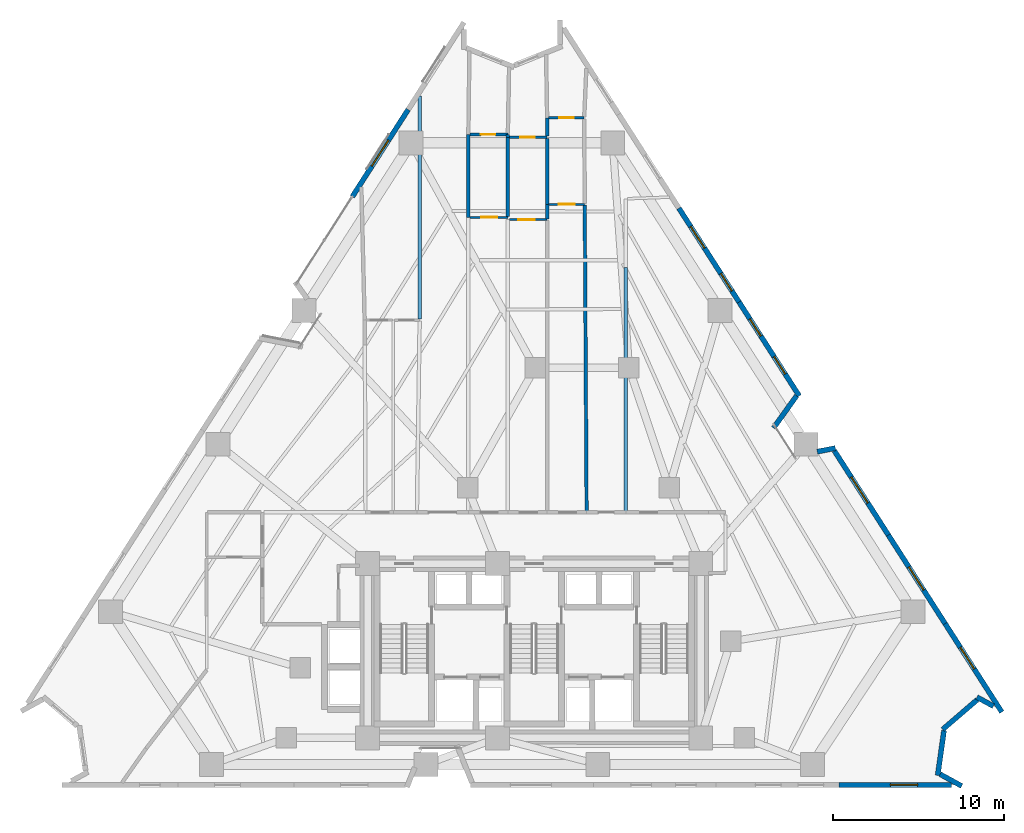
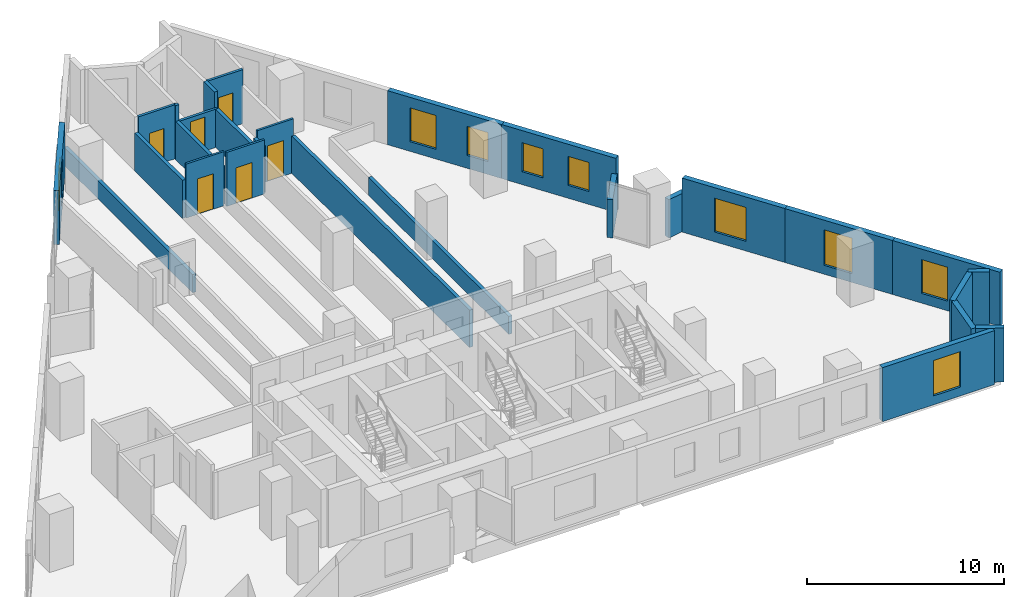
# One storey, part 10 of 13: 28 walls, 9 windows, 6 doors, 15 openings.
"""IFC4 building model written with IfcOpenShell, lengths in metres."""

from ifc_helpers import new_model, si_unit, direction, frame, frame_2d, origin, place, context, subcontext, project, spatial, rectangle, extrude, material, layer, layer_set, type_object, element, fill, save


model = new_model("IFC4")

# Units and contexts
model_context = context("Model", 3, precision=1e-05, world=origin(), true_north=direction((0.0, 1.0)))
body_context = subcontext(model_context, "Body", "Model", "MODEL_VIEW")
ifc_project = project(units=[si_unit("LENGTHUNIT", "METRE"), si_unit("AREAUNIT", "SQUARE_METRE"), si_unit("VOLUMEUNIT", "CUBIC_METRE"), si_unit("PLANEANGLEUNIT", "RADIAN"), si_unit("MASSUNIT", "GRAM", prefix="KILO")], contexts=[model_context])

# Site, building, storey
site_placement = place(None, origin())
site = spatial("IfcSite", under=ifc_project, at=site_placement, CompositionType="ELEMENT")
building_placement = place(site_placement, origin())
building = spatial("IfcBuilding", under=site, at=building_placement, Name="Almagre Mirador Tower", CompositionType="ELEMENT")
storey_placement = place(building_placement, frame((0.0, 0.0, 49.800048828125)))
storey = spatial("IfcBuildingStorey", under=building, at=storey_placement, Name="L11", CompositionType="ELEMENT", Elevation=49.800048828125)

# Wall, opening, window
ifc_material_1 = material(Name="Precast concrete C50/60", Category="concrete")
ifc_layer_1 = layer(ifc_material_1, 0.300048828125)
ifc_layer_set_1 = layer_set([ifc_layer_1], Name="Precast concrete C50/60")
wall_type_1 = type_object("IfcWallType", Name="WAL-EXT-300", PredefinedType="SOLIDWALL", material=ifc_layer_set_1)
wall_1_placement = place(storey_placement, frame((26.65673828125, 36.219970703125, 0.0), z_axis=(0.0, 0.0, 1.0), x_axis=(0.539506453767, 0.841981464371, 0.0)))
wall_1 = element("IfcWall", 1, at=wall_1_placement, inside=storey, type_object=wall_type_1, Name="L11 expressed almagre precast frame wall 03", PredefinedType="SOLIDWALL", context=body_context, shape_type="SweptSolid", body=[
    extrude(rectangle(XDim=6.058349609375, YDim=0.300048828125, at=frame_2d((3.029296875, 0.0))), origin(), (0.0, 0.0, 1.0), 3.349853515625),
])
opening_1_placement = place(wall_1_placement, frame((2.125, 0.0, 0.60009765625)))
opening_1 = element("IfcOpeningElement", 2, at=opening_1_placement, cuts=wall_1, Name="Opening WN-01", PredefinedType="OPENING", context=body_context, shape_type="SweptSolid", body=[
    extrude(rectangle(XDim=1.800048828125, YDim=2.10009765625, at=frame_2d((0.89990234375, 1.050048828125))), frame((0.0, 0.159902, 0.0), z_axis=(0.0, -1.0, 0.0), x_axis=(1.0, 0.0, 0.0)), (0.0, 0.0, 1.0), 0.320049),
])
ifc_material_2 = material(Name="Dark solar-control laminated hurricane glass", Category="glass")
window_type_1 = type_object("IfcWindowType", Name="WIN-1800X2100", PartitioningType="DOUBLE_PANEL_VERTICAL", PredefinedType="WINDOW", material=ifc_material_2)
window_1_placement = place(opening_1_placement, origin())
window_1 = element("IfcWindow", 3, at=window_1_placement, inside=storey, type_object=window_type_1, Name="L11 recessed hurricane window L11-UL-KT", OverallHeight=2.10009765625, OverallWidth=1.800048828125, PartitioningType="SINGLE_PANEL", PredefinedType="WINDOW", context=body_context, shape_type="SweptSolid", body=[
    extrude(rectangle(XDim=1.800048828125, YDim=2.10009765625, at=frame_2d((0.89990234375, 1.050048828125))), frame((0.0, 0.030029296875, 0.0), z_axis=(0.0, -1.0, 0.0), x_axis=(1.0, 0.0, 0.0)), (0.0, 0.0, 1.0), 0.06005859375),
])
fill(opening_1, window_1)

# Wall, openings, windows
wall_2_placement = place(storey_placement, frame((45.77197265625, 35.551025390625, 0.0), z_axis=(0.0, 0.0, 1.0), x_axis=(0.539526045631, -0.841968910403, 0.0)))
wall_2 = element("IfcWall", 4, at=wall_2_placement, inside=storey, type_object=wall_type_1, Name="L11 expressed almagre precast frame wall 11", PredefinedType="SOLIDWALL", context=body_context, shape_type="SweptSolid", body=[
    extrude(rectangle(XDim=6.525634765625, YDim=0.300048828125, at=frame_2d((3.2626953125, 0.0))), origin(), (0.0, 0.0, 1.0), 3.349853515625),
])
opening_2_placement = place(wall_2_placement, frame((4.550048828125, 0.0, 0.800048828125)))
opening_2 = element("IfcOpeningElement", 5, at=opening_2_placement, cuts=wall_2, Name="Opening WN-04", PredefinedType="OPENING", context=body_context, shape_type="SweptSolid", body=[
    extrude(rectangle(XDim=1.199951171875, YDim=1.800048828125, at=frame_2d((0.60009765625, 0.89990234375))), frame((0.0, 0.159902, 0.0), z_axis=(0.0, -1.0, 0.0), x_axis=(1.0, 0.0, 0.0)), (0.0, 0.0, 1.0), 0.320049),
])
opening_3_placement = place(wall_2_placement, frame((1.27490234375, 0.0, 0.60009765625)))
opening_3 = element("IfcOpeningElement", 6, at=opening_3_placement, cuts=wall_2, Name="Opening WN-03", PredefinedType="OPENING", context=body_context, shape_type="SweptSolid", body=[
    extrude(rectangle(XDim=1.5, YDim=2.10009765625, at=frame_2d((0.75, 1.050048828125))), frame((0.0, 0.159902, 0.0), z_axis=(0.0, -1.0, 0.0), x_axis=(1.0, 0.0, 0.0)), (0.0, 0.0, 1.0), 0.320049),
])
ifc_material_3 = material(Name="Dark solar-control laminated hurricane glass", Category="glass")
window_type_2 = type_object("IfcWindowType", Name="WIN-1200X1800", PartitioningType="SINGLE_PANEL", PredefinedType="WINDOW", material=ifc_material_3)
window_2_placement = place(opening_2_placement, origin())
window_2 = element("IfcWindow", 7, at=window_2_placement, inside=storey, type_object=window_type_2, Name="L11 recessed hurricane window L11-UJ-HB", OverallHeight=1.800048828125, OverallWidth=1.199951171875, PartitioningType="SINGLE_PANEL", PredefinedType="WINDOW", context=body_context, shape_type="SweptSolid", body=[
    extrude(rectangle(XDim=1.199951171875, YDim=1.800048828125, at=frame_2d((0.60009765625, 0.89990234375))), frame((0.0, 0.030029296875, 0.0), z_axis=(0.0, -1.0, 0.0), x_axis=(1.0, 0.0, 0.0)), (0.0, 0.0, 1.0), 0.06005859375),
])
fill(opening_2, window_2)
ifc_material_4 = material(Name="Dark solar-control laminated hurricane glass", Category="glass")
window_type_3 = type_object("IfcWindowType", Name="WIN-1500X2100", PartitioningType="DOUBLE_PANEL_VERTICAL", PredefinedType="WINDOW", material=ifc_material_4)
window_3_placement = place(opening_3_placement, origin())
window_3 = element("IfcWindow", 8, at=window_3_placement, inside=storey, type_object=window_type_3, Name="L11 recessed hurricane window L11-UC-KT-2", OverallHeight=2.10009765625, OverallWidth=1.5, PartitioningType="SINGLE_PANEL", PredefinedType="WINDOW", context=body_context, shape_type="SweptSolid", body=[
    extrude(rectangle(XDim=1.5, YDim=2.10009765625, at=frame_2d((0.75, 1.050048828125))), frame((0.0, 0.030029296875, 0.0), z_axis=(0.0, -1.0, 0.0), x_axis=(1.0, 0.0, 0.0)), (0.0, 0.0, 1.0), 0.06005859375),
])
fill(opening_3, window_3)

wall_3_placement = place(storey_placement, frame((49.292724609375, 30.056640625, 0.0), z_axis=(0.0, 0.0, 1.0), x_axis=(0.539509050887, -0.84197980024, 0.0)))
wall_3 = element("IfcWall", 9, at=wall_3_placement, inside=storey, type_object=wall_type_1, Name="L11 expressed almagre precast frame wall 12", PredefinedType="SOLIDWALL", context=body_context, shape_type="SweptSolid", body=[
    extrude(rectangle(XDim=6.52587890625, YDim=0.300048828125, at=frame_2d((3.262939453125, 0.0))), origin(), (0.0, 0.0, 1.0), 3.349853515625),
])
opening_4_placement = place(wall_3_placement, frame((1.175048828125, 0.0, 0.800048828125)))
opening_4 = element("IfcOpeningElement", 10, at=opening_4_placement, cuts=wall_3, Name="Opening WN-04", PredefinedType="OPENING", context=body_context, shape_type="SweptSolid", body=[
    extrude(rectangle(XDim=1.199951171875, YDim=1.800048828125, at=frame_2d((0.60009765625, 0.89990234375))), frame((0.0, 0.159902, 0.0), z_axis=(0.0, -1.0, 0.0), x_axis=(1.0, 0.0, 0.0)), (0.0, 0.0, 1.0), 0.320049),
])
opening_5_placement = place(wall_3_placement, frame((3.800048828125, 0.0, 0.800048828125)))
opening_5 = element("IfcOpeningElement", 11, at=opening_5_placement, cuts=wall_3, Name="Opening WN-04", PredefinedType="OPENING", context=body_context, shape_type="SweptSolid", body=[
    extrude(rectangle(XDim=1.199951171875, YDim=1.800048828125, at=frame_2d((0.60009765625, 0.89990234375))), frame((0.0, 0.159902, 0.0), z_axis=(0.0, -1.0, 0.0), x_axis=(1.0, 0.0, 0.0)), (0.0, 0.0, 1.0), 0.320049),
])
window_4_placement = place(opening_4_placement, origin())
window_4 = element("IfcWindow", 12, at=window_4_placement, inside=storey, type_object=window_type_2, Name="L11 recessed hurricane window L11-UJ-ST", OverallHeight=1.800048828125, OverallWidth=1.199951171875, PartitioningType="SINGLE_PANEL", PredefinedType="WINDOW", context=body_context, shape_type="SweptSolid", body=[
    extrude(rectangle(XDim=1.199951171875, YDim=1.800048828125, at=frame_2d((0.60009765625, 0.89990234375))), frame((0.0, 0.030029296875, 0.0), z_axis=(0.0, -1.0, 0.0), x_axis=(1.0, 0.0, 0.0)), (0.0, 0.0, 1.0), 0.06005859375),
])
fill(opening_4, window_4)
window_5_placement = place(opening_5_placement, origin())
window_5 = element("IfcWindow", 13, at=window_5_placement, inside=storey, type_object=window_type_2, Name="L11 recessed hurricane window L11-UJ-KT", OverallHeight=1.800048828125, OverallWidth=1.199951171875, PartitioningType="SINGLE_PANEL", PredefinedType="WINDOW", context=body_context, shape_type="SweptSolid", body=[
    extrude(rectangle(XDim=1.199951171875, YDim=1.800048828125, at=frame_2d((0.60009765625, 0.89990234375))), frame((0.0, 0.030029296875, 0.0), z_axis=(0.0, -1.0, 0.0), x_axis=(1.0, 0.0, 0.0)), (0.0, 0.0, 1.0), 0.06005859375),
])
fill(opening_5, window_5)

# Walls
wall_4_placement = place(storey_placement, frame((52.656494140625, 24.566162109375, 0.0), z_axis=(0.0, 0.0, 1.0), x_axis=(-0.583053244013, -0.812433944789, 0.0)))
element("IfcWall", 14, at=wall_4_placement, inside=storey, type_object=wall_type_1, Name="L11 expressed almagre precast frame wall 13", PredefinedType="SOLIDWALL", context=body_context, shape_type="SweptSolid", body=[
    extrude(rectangle(XDim=2.31396484375, YDim=0.300048828125, at=frame_2d((1.156982421875, 0.0))), origin(), (0.0, 0.0, 1.0), 2.375),
])
wall_5_placement = place(storey_placement, frame((53.864013671875, 21.302001953125, 0.0), z_axis=(0.0, 0.0, 1.0), x_axis=(0.981752657473, 0.190162350493, 0.0)))
element("IfcWall", 15, at=wall_5_placement, inside=storey, type_object=wall_type_1, Name="L11 expressed almagre precast frame wall 14", PredefinedType="SOLIDWALL", context=body_context, shape_type="SweptSolid", body=[
    extrude(rectangle(XDim=1.0810546875, YDim=0.300048828125, at=frame_2d((0.54052734375, 0.0))), origin(), (0.0, 0.0, 1.0), 2.375),
])

# Wall, opening, window
wall_6_placement = place(storey_placement, frame((54.863525390625, 21.363037109375, 0.0), z_axis=(0.0, 0.0, 1.0), x_axis=(0.539525561028, -0.841969220932, 0.0)))
wall_6 = element("IfcWall", 16, at=wall_6_placement, inside=storey, type_object=wall_type_1, Name="L11 expressed almagre precast frame wall 15", PredefinedType="SOLIDWALL", context=body_context, shape_type="SweptSolid", body=[
    extrude(rectangle(XDim=5.871826171875, YDim=0.300048828125, at=frame_2d((2.93603515625, 0.0))), origin(), (0.0, 0.0, 1.0), 3.349853515625),
])
opening_6_placement = place(wall_6_placement, frame((1.844970703125, 0.0, 0.60009765625)))
opening_6 = element("IfcOpeningElement", 17, at=opening_6_placement, cuts=wall_6, Name="Opening WN-01", PredefinedType="OPENING", context=body_context, shape_type="SweptSolid", body=[
    extrude(rectangle(XDim=1.800048828125, YDim=2.10009765625, at=frame_2d((0.89990234375, 1.050048828125))), frame((0.0, 0.159902, 0.0), z_axis=(0.0, -1.0, 0.0), x_axis=(1.0, 0.0, 0.0)), (0.0, 0.0, 1.0), 0.320049),
])
window_6_placement = place(opening_6_placement, origin())
window_6 = element("IfcWindow", 18, at=window_6_placement, inside=storey, type_object=window_type_1, Name="L11 recessed hurricane window L11-RST-G", OverallHeight=2.10009765625, OverallWidth=1.800048828125, PartitioningType="SINGLE_PANEL", PredefinedType="WINDOW", context=body_context, shape_type="SweptSolid", body=[
    extrude(rectangle(XDim=1.800048828125, YDim=2.10009765625, at=frame_2d((0.89990234375, 1.050048828125))), frame((0.0, 0.030029296875, 0.0), z_axis=(0.0, -1.0, 0.0), x_axis=(1.0, 0.0, 0.0)), (0.0, 0.0, 1.0), 0.06005859375),
])
fill(opening_6, window_6)

wall_7_placement = place(storey_placement, frame((58.031494140625, 16.419189453125, 0.0), z_axis=(0.0, 0.0, 1.0), x_axis=(0.539543497538, -0.841957727125, 0.0)))
wall_7 = element("IfcWall", 19, at=wall_7_placement, inside=storey, type_object=wall_type_1, Name="L11 expressed almagre precast frame wall 16", PredefinedType="SOLIDWALL", context=body_context, shape_type="SweptSolid", body=[
    extrude(rectangle(XDim=6.151611328125, YDim=0.300048828125, at=frame_2d((3.07568359375, 0.0))), origin(), (0.0, 0.0, 1.0), 3.349853515625),
])
opening_7_placement = place(wall_7_placement, frame((2.22509765625, 0.0, 0.550048828125)))
opening_7 = element("IfcOpeningElement", 20, at=opening_7_placement, cuts=wall_7, Name="Opening WN-06", PredefinedType="OPENING", context=body_context, shape_type="SweptSolid", body=[
    extrude(rectangle(XDim=1.60009765625, YDim=2.199951171875, at=frame_2d((0.800048828125, 1.10009765625))), frame((0.0, 0.159902, 0.0), z_axis=(0.0, -1.0, 0.0), x_axis=(1.0, 0.0, 0.0)), (0.0, 0.0, 1.0), 0.320049),
])
ifc_material_5 = material(Name="Dark solar-control laminated hurricane glass", Category="glass")
window_type_4 = type_object("IfcWindowType", Name="WIN-1600X2200", PartitioningType="DOUBLE_PANEL_VERTICAL", PredefinedType="WINDOW", material=ifc_material_5)
window_7_placement = place(opening_7_placement, origin())
window_7 = element("IfcWindow", 21, at=window_7_placement, inside=storey, type_object=window_type_4, Name="L11 recessed hurricane window L11-RST-G", OverallHeight=2.199951171875, OverallWidth=1.60009765625, PartitioningType="SINGLE_PANEL", PredefinedType="WINDOW", context=body_context, shape_type="SweptSolid", body=[
    extrude(rectangle(XDim=1.60009765625, YDim=2.199951171875, at=frame_2d((0.800048828125, 1.10009765625))), frame((0.0, 0.030029296875, 0.0), z_axis=(0.0, -1.0, 0.0), x_axis=(1.0, 0.0, 0.0)), (0.0, 0.0, 1.0), 0.06005859375),
])
fill(opening_7, window_7)

wall_8_placement = place(storey_placement, frame((61.3505859375, 11.23974609375, 0.0), z_axis=(0.0, 0.0, 1.0), x_axis=(0.539497334835, -0.841987307331, 0.0)))
wall_8 = element("IfcWall", 22, at=wall_8_placement, inside=storey, type_object=wall_type_1, Name="L11 expressed almagre precast frame wall 17", PredefinedType="SOLIDWALL", context=body_context, shape_type="SweptSolid", body=[
    extrude(rectangle(XDim=6.15185546875, YDim=0.300048828125, at=frame_2d((3.075927734375, 0.0))), origin(), (0.0, 0.0, 1.0), 3.349853515625),
])
opening_8_placement = place(wall_8_placement, frame((1.64990234375, 0.0, 0.60009765625)))
opening_8 = element("IfcOpeningElement", 23, at=opening_8_placement, cuts=wall_8, Name="Opening WN-03", PredefinedType="OPENING", context=body_context, shape_type="SweptSolid", body=[
    extrude(rectangle(XDim=1.5, YDim=2.10009765625, at=frame_2d((0.75, 1.050048828125))), frame((0.0, 0.159902, 0.0), z_axis=(0.0, -1.0, 0.0), x_axis=(1.0, 0.0, 0.0)), (0.0, 0.0, 1.0), 0.320049),
])
window_8_placement = place(opening_8_placement, origin())
window_8 = element("IfcWindow", 24, at=window_8_placement, inside=storey, type_object=window_type_3, Name="L11 recessed hurricane window L11-RST-G", OverallHeight=2.10009765625, OverallWidth=1.5, PartitioningType="SINGLE_PANEL", PredefinedType="WINDOW", context=body_context, shape_type="SweptSolid", body=[
    extrude(rectangle(XDim=1.5, YDim=2.10009765625, at=frame_2d((0.75, 1.050048828125))), frame((0.0, 0.030029296875, 0.0), z_axis=(0.0, -1.0, 0.0), x_axis=(1.0, 0.0, 0.0)), (0.0, 0.0, 1.0), 0.06005859375),
])
fill(opening_8, window_8)

# Walls
wall_9_placement = place(storey_placement, frame((64.17724609375, 6.406005859375, 0.0), z_axis=(0.0, 0.0, 1.0), x_axis=(-0.877235899632, 0.480059555052, 0.0)))
element("IfcWall", 25, at=wall_9_placement, inside=storey, type_object=wall_type_1, Name="L11 expressed almagre precast frame wall 18", PredefinedType="SOLIDWALL", context=body_context, shape_type="SweptSolid", body=[
    extrude(rectangle(XDim=1.1044921875, YDim=0.300048828125, at=frame_2d((0.55224609375, 0.0))), origin(), (0.0, 0.0, 1.0), 3.349853515625),
])
wall_10_placement = place(storey_placement, frame((63.224853515625, 6.77783203125, 0.0), z_axis=(0.0, 0.0, 1.0), x_axis=(-0.758681082232, -0.651462213381, 0.0)))
element("IfcWall", 26, at=wall_10_placement, inside=storey, type_object=wall_type_1, Name="L11 expressed almagre precast frame wall 19", PredefinedType="SOLIDWALL", context=body_context, shape_type="SweptSolid", body=[
    extrude(rectangle(XDim=2.66650390625, YDim=0.300048828125, at=frame_2d((1.333251953125, 0.0))), origin(), (0.0, 0.0, 1.0), 3.349853515625),
])
wall_11_placement = place(storey_placement, frame((61.287109375, 4.9833984375, 0.0), z_axis=(0.0, 0.0, 1.0), x_axis=(-0.139118263158, -0.990275774144, 0.0)))
element("IfcWall", 27, at=wall_11_placement, inside=storey, type_object=wall_type_1, Name="L11 expressed almagre precast frame wall 20", PredefinedType="SOLIDWALL", context=body_context, shape_type="SweptSolid", body=[
    extrude(rectangle(XDim=2.656982421875, YDim=0.300048828125, at=frame_2d((1.32861328125, 0.0))), origin(), (0.0, 0.0, 1.0), 3.349853515625),
])
wall_12_placement = place(storey_placement, frame((61.055419921875, 2.42626953125, 0.0), z_axis=(0.0, 0.0, 1.0), x_axis=(0.877287752989, -0.479964788767, 0.0)))
element("IfcWall", 28, at=wall_12_placement, inside=storey, type_object=wall_type_1, Name="L11 expressed almagre precast frame wall 21", PredefinedType="SOLIDWALL", context=body_context, shape_type="SweptSolid", body=[
    extrude(rectangle(XDim=1.444580078125, YDim=0.300048828125, at=frame_2d((0.72216796875, 0.0))), origin(), (0.0, 0.0, 1.0), 3.349853515625),
])

# Wall, opening, window
wall_13_placement = place(storey_placement, frame((61.72998046875, 1.800048828125, 0.0), z_axis=(0.0, 0.0, 1.0), x_axis=(-1.0, 0.0, 0.0)))
wall_13 = element("IfcWall", 29, at=wall_13_placement, inside=storey, type_object=wall_type_1, Name="L11 expressed almagre precast frame wall 22", PredefinedType="SOLIDWALL", context=body_context, shape_type="SweptSolid", body=[
    extrude(rectangle(XDim=6.5830078125, YDim=0.300048828125, at=frame_2d((3.29150390625, 0.0))), origin(), (0.0, 0.0, 1.0), 3.349853515625),
])
opening_9_placement = place(wall_13_placement, frame((1.989990234375, 0.0, 0.550048828125)))
opening_9 = element("IfcOpeningElement", 30, at=opening_9_placement, cuts=wall_13, Name="Opening WN-06", PredefinedType="OPENING", context=body_context, shape_type="SweptSolid", body=[
    extrude(rectangle(XDim=1.60009765625, YDim=2.199951171875, at=frame_2d((0.800048828125, 1.10009765625))), frame((0.0, 0.159902, 0.0), z_axis=(0.0, -1.0, 0.0), x_axis=(1.0, 0.0, 0.0)), (0.0, 0.0, 1.0), 0.320049),
])
window_9_placement = place(opening_9_placement, origin())
window_9 = element("IfcWindow", 31, at=window_9_placement, inside=storey, type_object=window_type_4, Name="L11 recessed hurricane window L11-UE-BT", OverallHeight=2.199951171875, OverallWidth=1.60009765625, PartitioningType="SINGLE_PANEL", PredefinedType="WINDOW", context=body_context, shape_type="SweptSolid", body=[
    extrude(rectangle(XDim=1.60009765625, YDim=2.199951171875, at=frame_2d((0.800048828125, 1.10009765625))), frame((0.0, 0.030029296875, 0.0), z_axis=(0.0, -1.0, 0.0), x_axis=(1.0, 0.0, 0.0)), (0.0, 0.0, 1.0), 0.06005859375),
])
fill(opening_9, window_9)

# Wall, opening, door
ifc_material_6 = material(Name="Gypsum acoustic stud partition", Category="other")
ifc_layer_2 = layer(ifc_material_6, 0.125)
ifc_layer_set_2 = layer_set([ifc_layer_2], Name="Gypsum acoustic stud partition")
wall_type_2 = type_object("IfcWallType", Name="WAL-PRT-125-UTL", PredefinedType="PARTITIONING", material=ifc_layer_set_2)
wall_14_placement = place(storey_placement, frame((35.760009765625, 35.010009765625, 0.0), z_axis=(0.0, 0.0, 1.0), x_axis=(-1.0, 0.0, 0.0)))
wall_14 = element("IfcWall", 32, at=wall_14_placement, inside=storey, type_object=wall_type_2, Name="L11 interior partition 077", PredefinedType="PARTITIONING", context=body_context, shape_type="SweptSolid", body=[
    extrude(rectangle(XDim=2.22509765625, YDim=0.125, at=frame_2d((1.112548828125, 0.0))), origin(), (0.0, 0.0, 1.0), 3.349853515625),
])
opening_10_placement = place(wall_14_placement, frame((0.6201171875, 0.0, 0.0)))
opening_10 = element("IfcOpeningElement", 33, at=opening_10_placement, cuts=wall_14, Name="Opening UD-01", PredefinedType="OPENING", context=body_context, shape_type="SweptSolid", body=[
    extrude(rectangle(XDim=0.949951171875, YDim=2.199951171875, at=frame_2d((0.47509765625, 1.10009765625))), frame((0.0, 0.0725, 0.0), z_axis=(0.0, -1.0, 0.0), x_axis=(1.0, 0.0, 0.0)), (0.0, 0.0, 1.0), 0.145),
])
ifc_material_7 = material(Name="Solid American walnut timber", Category="wood")
door_type_1 = type_object("IfcDoorType", Name="DOR-UNR-950X2200", OperationType="NOTDEFINED", PredefinedType="DOOR", material=ifc_material_7)
door_1_placement = place(opening_10_placement, origin())
door_1 = element("IfcDoor", 34, at=door_1_placement, inside=storey, type_object=door_type_1, Name="DR-0362 L11 interior door L11-UN-ST to L11-UN-KT", OperationType="SINGLE_SWING_LEFT", OverallHeight=2.199951171875, OverallWidth=0.949951171875, PredefinedType="DOOR", context=body_context, shape_type="SweptSolid", body=[
    extrude(rectangle(XDim=0.949951171875, YDim=2.199951171875, at=frame_2d((0.47509765625, 1.10009765625))), frame((0.0, 0.02490234375, 0.0), z_axis=(0.0, -1.0, 0.0), x_axis=(1.0, 0.0, 0.0)), (0.0, 0.0, 1.0), 0.050048828125),
])
fill(opening_10, door_1)

wall_15_placement = place(storey_placement, frame((38.06005859375, 34.8798828125, 0.0), z_axis=(0.0, 0.0, 1.0), x_axis=(-1.0, 0.0, 0.0)))
wall_15 = element("IfcWall", 35, at=wall_15_placement, inside=storey, type_object=wall_type_2, Name="L11 interior partition 083", PredefinedType="PARTITIONING", context=body_context, shape_type="SweptSolid", body=[
    extrude(rectangle(XDim=2.215087890625, YDim=0.125, at=frame_2d((1.107421875, 0.0))), origin(), (0.0, 0.0, 1.0), 3.349853515625),
])
opening_11_placement = place(wall_15_placement, frame((0.734375, 0.0, 0.0)))
opening_11 = element("IfcOpeningElement", 36, at=opening_11_placement, cuts=wall_15, Name="Opening UD-01", PredefinedType="OPENING", context=body_context, shape_type="SweptSolid", body=[
    extrude(rectangle(XDim=0.949951171875, YDim=2.199951171875, at=frame_2d((0.47509765625, 1.10009765625))), frame((0.0, 0.0725, 0.0), z_axis=(0.0, -1.0, 0.0), x_axis=(1.0, 0.0, 0.0)), (0.0, 0.0, 1.0), 0.145),
])
door_2_placement = place(opening_11_placement, origin())
door_2 = element("IfcDoor", 37, at=door_2_placement, inside=storey, type_object=door_type_1, Name="DR-0365 L11 interior door L11-UP-ST to L11-UP-KT", OperationType="SINGLE_SWING_RIGHT", OverallHeight=2.199951171875, OverallWidth=0.949951171875, PredefinedType="DOOR", context=body_context, shape_type="SweptSolid", body=[
    extrude(rectangle(XDim=0.949951171875, YDim=2.199951171875, at=frame_2d((0.47509765625, 1.10009765625))), frame((0.0, 0.02490234375, 0.0), z_axis=(0.0, -1.0, 0.0), x_axis=(1.0, 0.0, 0.0)), (0.0, 0.0, 1.0), 0.050048828125),
])
fill(opening_11, door_2)

wall_16_placement = place(storey_placement, frame((40.260009765625, 35.77001953125, 0.0), z_axis=(0.0, 0.0, 1.0), x_axis=(-1.0, 0.0, 0.0)))
wall_16 = element("IfcWall", 38, at=wall_16_placement, inside=storey, type_object=wall_type_2, Name="L11 interior partition 090", PredefinedType="PARTITIONING", context=body_context, shape_type="SweptSolid", body=[
    extrude(rectangle(XDim=2.114990234375, YDim=0.125, at=frame_2d((1.0576171875, 0.0))), origin(), (0.0, 0.0, 1.0), 3.349853515625),
])
opening_12_placement = place(wall_16_placement, frame((0.571044921875, 0.0, 0.0)))
opening_12 = element("IfcOpeningElement", 39, at=opening_12_placement, cuts=wall_16, Name="Opening UD-01", PredefinedType="OPENING", context=body_context, shape_type="SweptSolid", body=[
    extrude(rectangle(XDim=0.949951171875, YDim=2.199951171875, at=frame_2d((0.47509765625, 1.10009765625))), frame((0.0, 0.0725, 0.0), z_axis=(0.0, -1.0, 0.0), x_axis=(1.0, 0.0, 0.0)), (0.0, 0.0, 1.0), 0.145),
])
door_3_placement = place(opening_12_placement, origin())
door_3 = element("IfcDoor", 40, at=door_3_placement, inside=storey, type_object=door_type_1, Name="DR-0353 L11 interior door L11-UA-ST-2 to L11-UA-KT-2", OperationType="SINGLE_SWING_RIGHT", OverallHeight=2.199951171875, OverallWidth=0.949951171875, PredefinedType="DOOR", context=body_context, shape_type="SweptSolid", body=[
    extrude(rectangle(XDim=0.949951171875, YDim=2.199951171875, at=frame_2d((0.47509765625, 1.10009765625))), frame((0.0, 0.02490234375, 0.0), z_axis=(0.0, -1.0, 0.0), x_axis=(1.0, 0.0, 0.0)), (0.0, 0.0, 1.0), 0.050048828125),
])
fill(opening_12, door_3)

ifc_material_8 = material(Name="Gypsum acoustic stud partition", Category="other")
ifc_layer_3 = layer(ifc_material_8, 0.14990234375)
ifc_layer_set_3 = layer_set([ifc_layer_3], Name="Gypsum acoustic stud partition")
wall_type_3 = type_object("IfcWallType", Name="WAL-PRT-150-STD", PredefinedType="PARTITIONING", material=ifc_layer_set_3)
wall_17_placement = place(storey_placement, frame((35.760009765625, 39.860107421875, 0.0), z_axis=(0.0, 0.0, 1.0), x_axis=(-1.0, 0.0, 0.0)))
wall_17 = element("IfcWall", 41, at=wall_17_placement, inside=storey, type_object=wall_type_3, Name="L11 interior partition 079", PredefinedType="PARTITIONING", context=body_context, shape_type="SweptSolid", body=[
    extrude(rectangle(XDim=2.22509765625, YDim=0.14990234375, at=frame_2d((1.112548828125, 0.0))), origin(), (0.0, 0.0, 1.0), 3.349853515625),
])
opening_13_placement = place(wall_17_placement, frame((0.72998046875, 0.0, 0.0)))
opening_13 = element("IfcOpeningElement", 42, at=opening_13_placement, cuts=wall_17, Name="Opening UD-04", PredefinedType="OPENING", context=body_context, shape_type="SweptSolid", body=[
    extrude(rectangle(XDim=0.85009765625, YDim=2.10009765625, at=frame_2d((0.425048828125, 1.050048828125))), frame((0.0, 0.084951, 0.0), z_axis=(0.0, -1.0, 0.0), x_axis=(1.0, 0.0, 0.0)), (0.0, 0.0, 1.0), 0.169902),
])
ifc_material_9 = material(Name="Moisture-resistant oak timber", Category="wood")
door_type_2 = type_object("IfcDoorType", Name="DOR-UNR-850X2100", OperationType="NOTDEFINED", PredefinedType="DOOR", material=ifc_material_9)
door_4_placement = place(opening_13_placement, origin())
door_4 = element("IfcDoor", 43, at=door_4_placement, inside=storey, type_object=door_type_2, Name="DR-0363 L11 interior door L11-UN-KT to L11-UN-BT", OperationType="SINGLE_SWING_RIGHT", OverallHeight=2.10009765625, OverallWidth=0.85009765625, PredefinedType="DOOR", context=body_context, shape_type="SweptSolid", body=[
    extrude(rectangle(XDim=0.85009765625, YDim=2.10009765625, at=frame_2d((0.425048828125, 1.050048828125))), frame((0.0, 0.02490234375, 0.0), z_axis=(0.0, -1.0, 0.0), x_axis=(1.0, 0.0, 0.0)), (0.0, 0.0, 1.0), 0.050048828125),
])
fill(opening_13, door_4)

wall_18_placement = place(storey_placement, frame((38.06005859375, 39.699951171875, 0.0), z_axis=(0.0, 0.0, 1.0), x_axis=(-1.0, 0.0, 0.0)))
wall_18 = element("IfcWall", 44, at=wall_18_placement, inside=storey, type_object=wall_type_3, Name="L11 interior partition 085", PredefinedType="PARTITIONING", context=body_context, shape_type="SweptSolid", body=[
    extrude(rectangle(XDim=2.215087890625, YDim=0.14990234375, at=frame_2d((1.107421875, 0.0))), origin(), (0.0, 0.0, 1.0), 2.369873046875),
])
opening_14_placement = place(wall_18_placement, frame((0.72509765625, 0.0, 0.0)))
opening_14 = element("IfcOpeningElement", 45, at=opening_14_placement, cuts=wall_18, Name="Opening UD-04", PredefinedType="OPENING", context=body_context, shape_type="SweptSolid", body=[
    extrude(rectangle(XDim=0.85009765625, YDim=2.10009765625, at=frame_2d((0.425048828125, 1.050048828125))), frame((0.0, 0.084951, 0.0), z_axis=(0.0, -1.0, 0.0), x_axis=(1.0, 0.0, 0.0)), (0.0, 0.0, 1.0), 0.169902),
])
door_5_placement = place(opening_14_placement, origin())
door_5 = element("IfcDoor", 46, at=door_5_placement, inside=storey, type_object=door_type_2, Name="DR-0366 L11 interior door L11-UP-KT to L11-UP-BT", OperationType="SINGLE_SWING_LEFT", OverallHeight=2.10009765625, OverallWidth=0.85009765625, PredefinedType="DOOR", context=body_context, shape_type="SweptSolid", body=[
    extrude(rectangle(XDim=0.85009765625, YDim=2.10009765625, at=frame_2d((0.425048828125, 1.050048828125))), frame((0.0, 0.02490234375, 0.0), z_axis=(0.0, -1.0, 0.0), x_axis=(1.0, 0.0, 0.0)), (0.0, 0.0, 1.0), 0.050048828125),
])
fill(opening_14, door_5)

wall_19_placement = place(storey_placement, frame((40.22998046875, 40.840087890625, 0.0), z_axis=(0.0, 0.0, 1.0), x_axis=(-1.0, 0.0, 0.0)))
wall_19 = element("IfcWall", 47, at=wall_19_placement, inside=storey, type_object=wall_type_3, Name="L11 interior partition 092", PredefinedType="PARTITIONING", context=body_context, shape_type="SweptSolid", body=[
    extrude(rectangle(XDim=2.0849609375, YDim=0.14990234375, at=frame_2d((1.04248046875, 0.0))), origin(), (0.0, 0.0, 1.0), 3.349853515625),
])
opening_15_placement = place(wall_19_placement, frame((0.602294921875, 0.0, 0.0)))
opening_15 = element("IfcOpeningElement", 48, at=opening_15_placement, cuts=wall_19, Name="Opening UD-04", PredefinedType="OPENING", context=body_context, shape_type="SweptSolid", body=[
    extrude(rectangle(XDim=0.85009765625, YDim=2.10009765625, at=frame_2d((0.425048828125, 1.050048828125))), frame((0.0, 0.084951, 0.0), z_axis=(0.0, -1.0, 0.0), x_axis=(1.0, 0.0, 0.0)), (0.0, 0.0, 1.0), 0.169902),
])
door_6_placement = place(opening_15_placement, origin())
door_6 = element("IfcDoor", 49, at=door_6_placement, inside=storey, type_object=door_type_2, Name="DR-0354 L11 interior door L11-UA-KT-2 to L11-UA-BT-2", OperationType="SINGLE_SWING_RIGHT", OverallHeight=2.10009765625, OverallWidth=0.85009765625, PredefinedType="DOOR", context=body_context, shape_type="SweptSolid", body=[
    extrude(rectangle(XDim=0.85009765625, YDim=2.10009765625, at=frame_2d((0.425048828125, 1.050048828125))), frame((0.0, 0.02490234375, 0.0), z_axis=(0.0, -1.0, 0.0), x_axis=(1.0, 0.0, 0.0)), (0.0, 0.0, 1.0), 0.050048828125),
])
fill(opening_15, door_6)

# Walls
ifc_material_10 = material(Name="Gypsum acoustic stud partition", Category="other")
ifc_layer_4 = layer(ifc_material_10, 0.199951171875)
ifc_layer_set_4 = layer_set([ifc_layer_4], Name="Gypsum acoustic stud partition")
wall_type_4 = type_object("IfcWallType", Name="WAL-PRT-200-EI60", PredefinedType="PARTITIONING", material=ifc_layer_set_4)
wall_20_placement = place(storey_placement, frame((30.60009765625, 29.06005859375, 0.0), z_axis=(0.0, 0.0, 1.0), x_axis=(0.000673035425, 0.999999773512, 0.0)))
element("IfcWall", 50, at=wall_20_placement, inside=storey, type_object=wall_type_4, Name="L11 interior partition 073", PredefinedType="PARTITIONING", context=body_context, shape_type="SweptSolid", body=[
    extrude(rectangle(XDim=13.058837890625, YDim=0.199951171875, at=frame_2d((6.529296875, 0.0))), origin(), (0.0, 0.0, 1.0), 1.119873046875),
])
wall_21_placement = place(storey_placement, frame((33.449951171875, 35.010009765625, 0.0), z_axis=(0.0, 0.0, 1.0), x_axis=(0.0, 1.0, 0.0)))
element("IfcWall", 51, at=wall_21_placement, inside=storey, type_object=wall_type_4, Name="L11 interior partition 075", PredefinedType="PARTITIONING", context=body_context, shape_type="SweptSolid", body=[
    extrude(rectangle(XDim=4.85009765625, YDim=0.199951171875, at=frame_2d((2.425048828125, 0.0))), origin(), (0.0, 0.0, 1.0), 2.369873046875),
])
wall_22_placement = place(storey_placement, frame((35.760009765625, 35.0576171875, 0.0), z_axis=(0.0, 0.0, 1.0), x_axis=(0.0, 1.0, 0.0)))
element("IfcWall", 52, at=wall_22_placement, inside=storey, type_object=wall_type_4, Name="L11 interior partition 080", PredefinedType="PARTITIONING", context=body_context, shape_type="SweptSolid", body=[
    extrude(rectangle(XDim=4.642333984375, YDim=0.199951171875, at=frame_2d((2.3212890625, 0.0))), origin(), (0.0, 0.0, 1.0), 2.369873046875),
])
wall_23_placement = place(storey_placement, frame((35.760009765625, 39.699951171875, 0.0), z_axis=(0.0, 0.0, 1.0), x_axis=(0.0, 1.0, 0.0)))
element("IfcWall", 53, at=wall_23_placement, inside=storey, type_object=wall_type_4, Name="L11 interior partition 081", PredefinedType="PARTITIONING", context=body_context, shape_type="SweptSolid", body=[
    extrude(rectangle(XDim=0.16015625, YDim=0.199951171875, at=frame_2d((0.080078125, 0.0))), origin(), (0.0, 0.0, 1.0), 3.349853515625),
])
wall_24_placement = place(storey_placement, frame((38.06005859375, 34.927490234375, 0.0), z_axis=(0.0, 0.0, 1.0), x_axis=(0.0, 1.0, 0.0)))
element("IfcWall", 54, at=wall_24_placement, inside=storey, type_object=wall_type_4, Name="L11 interior partition 086", PredefinedType="PARTITIONING", context=body_context, shape_type="SweptSolid", body=[
    extrude(rectangle(XDim=0.842529296875, YDim=0.199951171875, at=frame_2d((0.42138671875, 0.0))), origin(), (0.0, 0.0, 1.0), 2.910888671875),
])
wall_25_placement = place(storey_placement, frame((38.06005859375, 35.77001953125, 0.0), z_axis=(0.0, 0.0, 1.0), x_axis=(0.0, 1.0, 0.0)))
element("IfcWall", 55, at=wall_25_placement, inside=storey, type_object=wall_type_4, Name="L11 interior partition 087", PredefinedType="PARTITIONING", context=body_context, shape_type="SweptSolid", body=[
    extrude(rectangle(XDim=3.869873046875, YDim=0.199951171875, at=frame_2d((1.93505859375, 0.0))), origin(), (0.0, 0.0, 1.0), 2.369873046875),
])
wall_26_placement = place(storey_placement, frame((38.06005859375, 39.760009765625, 0.0), z_axis=(0.0, 0.0, 1.0), x_axis=(0.0, 1.0, 0.0)))
element("IfcWall", 56, at=wall_26_placement, inside=storey, type_object=wall_type_4, Name="L11 interior partition 088", PredefinedType="PARTITIONING", context=body_context, shape_type="SweptSolid", body=[
    extrude(rectangle(XDim=1.080078125, YDim=0.199951171875, at=frame_2d((0.5400390625, 0.0))), origin(), (0.0, 0.0, 1.0), 3.349853515625),
])
wall_27_placement = place(storey_placement, frame((40.369384765625, 17.8349609375, 0.0), z_axis=(0.0, 0.0, 1.0), x_axis=(-0.006100859611, 0.999981389583, 0.0)))
element("IfcWall", 57, at=wall_27_placement, inside=storey, type_object=wall_type_4, Name="L11 interior partition 091", PredefinedType="PARTITIONING", context=body_context, shape_type="SweptSolid", body=[
    extrude(rectangle(XDim=17.8876953125, YDim=0.199951171875, at=frame_2d((8.94384765625, 0.0))), origin(), (0.0, 0.0, 1.0), 2.308837890625),
])
wall_28_placement = place(storey_placement, frame((42.669921875, 32.070068359375, 0.0), z_axis=(0.0, 0.0, 1.0), x_axis=(0.0, -1.0, 0.0)))
element("IfcWall", 58, at=wall_28_placement, inside=storey, type_object=wall_type_4, Name="L11 interior partition 095", PredefinedType="PARTITIONING", context=body_context, shape_type="SweptSolid", body=[
    extrude(rectangle(XDim=14.235107421875, YDim=0.199951171875, at=frame_2d((7.11767578125, 0.0))), origin(), (0.0, 0.0, 1.0), 1.119873046875),
])

save(model, "model.ifc")
